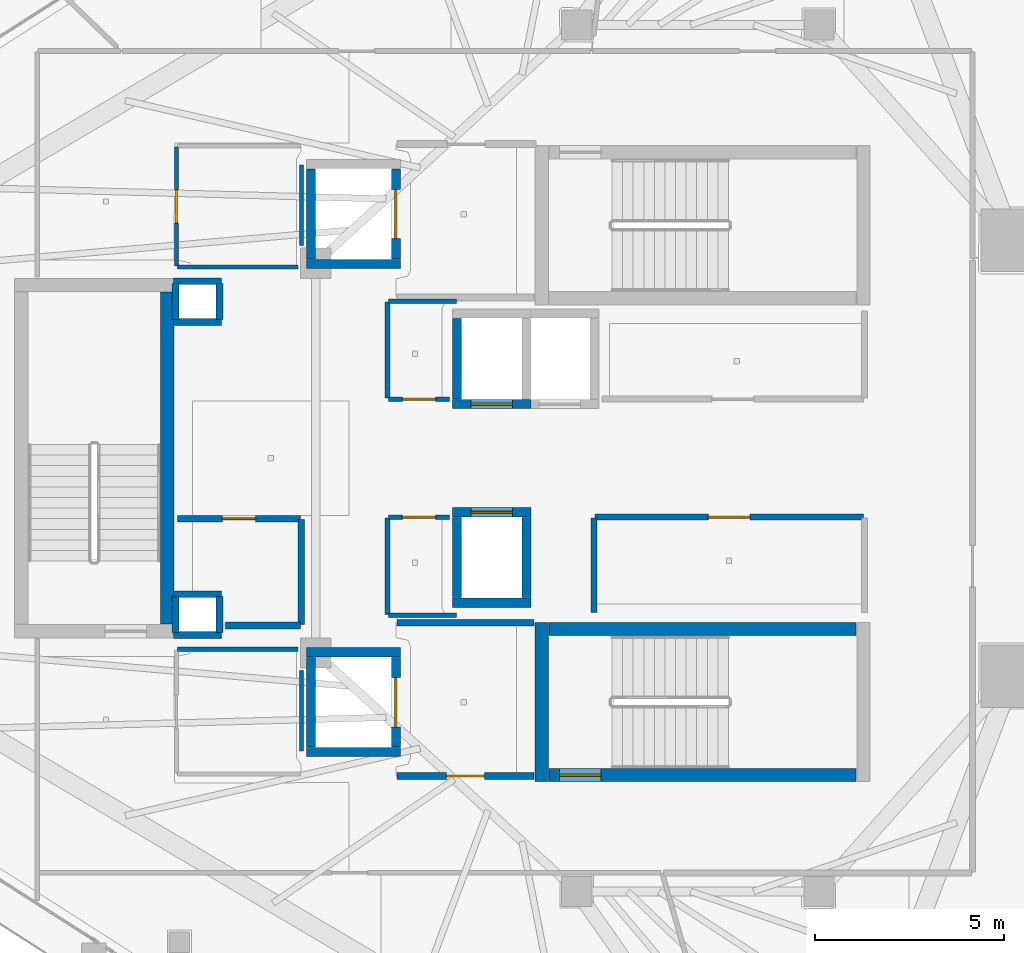
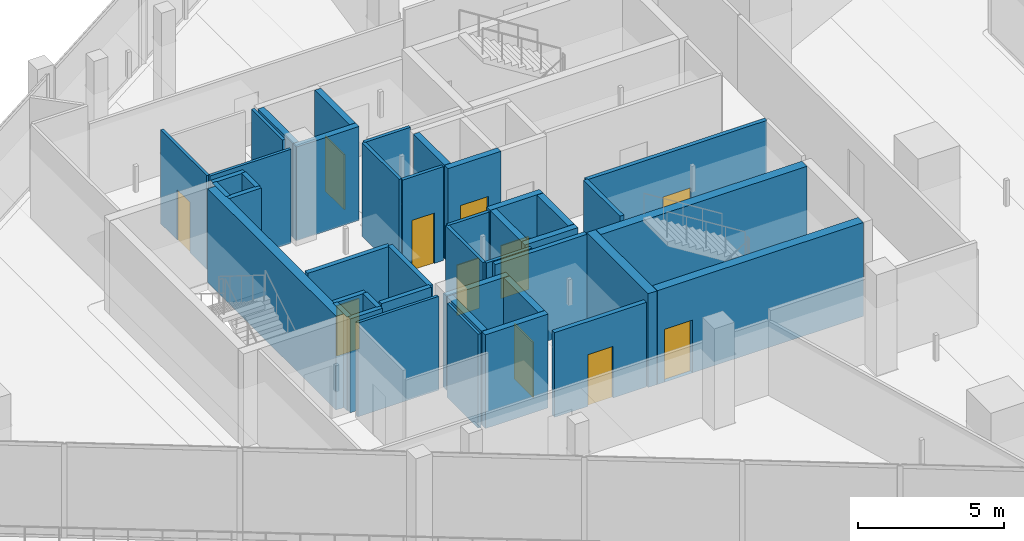
# One storey, part 22 of 31: 43 walls, 11 doors, 11 openings.
"""IFC4 building model written with IfcOpenShell, lengths in metres."""

from ifc_helpers import new_model, si_unit, direction, frame, frame_2d, origin, place, context, subcontext, project, spatial, rectangle, extrude, material, layer, layer_set, type_object, element, fill, save


model = new_model("IFC4")

# Units and contexts
model_context = context("Model", 3, precision=1e-05, world=origin(), true_north=direction((0.0, 1.0)))
body_context = subcontext(model_context, "Body", "Model", "MODEL_VIEW")
ifc_project = project(units=[si_unit("LENGTHUNIT", "METRE"), si_unit("AREAUNIT", "SQUARE_METRE"), si_unit("VOLUMEUNIT", "CUBIC_METRE"), si_unit("PLANEANGLEUNIT", "RADIAN"), si_unit("MASSUNIT", "GRAM", prefix="KILO")], contexts=[model_context])

# Site, building, storey
site_placement = place(None, origin())
site = spatial("IfcSite", under=ifc_project, at=site_placement, CompositionType="ELEMENT")
building_placement = place(site_placement, origin())
building = spatial("IfcBuilding", under=site, at=building_placement, Name="Qorvath Tower", CompositionType="ELEMENT")
storey_placement = place(building_placement, frame((0.0, 0.0, 264.0)))
storey = spatial("IfcBuildingStorey", under=building, at=storey_placement, Name="L61", CompositionType="ELEMENT", Elevation=264.0)

# Walls
ifc_material_1 = material(Name="Gypsum shaftliner on steel studs", Category="steel")
ifc_layer_1 = layer(ifc_material_1, 0.179931640625)
ifc_layer_set_1 = layer_set([ifc_layer_1], Name="FW-LOBBY")
wall_type_1 = type_object("IfcWallType", Name="FW-LOBBY", PredefinedType="PARTITIONING", material=ifc_layer_set_1)
for number, where, z_axis, x_axis, name in (
    (1, (-32.989990234375, 3.594970703125, 0.0), (0.0, 0.0, 1.0), (-1.0, 0.0, 0.0), "MEP Riser Shaft Enclosure Wall N-L61-S"),
    (2, (-34.260009765625, 4.675048828125, 0.0), (0.0, 0.0, 1.0), (1.0, 0.0, 0.0), "MEP Riser Shaft Enclosure Wall N-L61-N"),
):
    element("IfcWall", number, at=place(storey_placement, frame(where, z_axis=z_axis, x_axis=x_axis)), inside=storey, type_object=wall_type_1, Name=name, PredefinedType="PARTITIONING", context=body_context, shape_type="SweptSolid", body=[
        extrude(rectangle(XDim=1.27001953125, YDim=0.179931640625, at=frame_2d((0.635009765625, 0.0))), origin(), (0.0, 0.0, 1.0), 3.909912109375),
    ])
for number, where, z_axis, x_axis, name in (
    (3, (-34.205078125, 3.659912109375, 0.0), (0.0, 0.0, 1.0), (0.0, 1.0, 0.0), "MEP Riser Shaft Enclosure Wall N-L61-W"),
    (4, (-33.044921875, 4.610107421875, 0.0), (0.0, 0.0, 1.0), (0.0, -1.0, 0.0), "MEP Riser Shaft Enclosure Wall N-L61-E"),
):
    element("IfcWall", number, at=place(storey_placement, frame(where, z_axis=z_axis, x_axis=x_axis)), inside=storey, type_object=wall_type_1, Name=name, PredefinedType="PARTITIONING", context=body_context, shape_type="SweptSolid", body=[
        extrude(rectangle(XDim=0.9501953125, YDim=0.179931640625, at=frame_2d((0.47509765625, 0.0))), origin(), (0.0, 0.0, 1.0), 3.909912109375),
    ])
for number, where, z_axis, x_axis, name in (
    (5, (-32.989990234375, -4.675048828125, 0.0), (0.0, 0.0, 1.0), (-1.0, 0.0, 0.0), "MEP Riser Shaft Enclosure Wall S-L61-S"),
    (6, (-34.260009765625, -3.594970703125, 0.0), (0.0, 0.0, 1.0), (1.0, 0.0, 0.0), "MEP Riser Shaft Enclosure Wall S-L61-N"),
):
    element("IfcWall", number, at=place(storey_placement, frame(where, z_axis=z_axis, x_axis=x_axis)), inside=storey, type_object=wall_type_1, Name=name, PredefinedType="PARTITIONING", context=body_context, shape_type="SweptSolid", body=[
        extrude(rectangle(XDim=1.27001953125, YDim=0.179931640625, at=frame_2d((0.635009765625, 0.0))), origin(), (0.0, 0.0, 1.0), 3.909912109375),
    ])
for number, where, z_axis, x_axis, name in (
    (7, (-34.205078125, -4.610107421875, 0.0), (0.0, 0.0, 1.0), (0.0, 1.0, 0.0), "MEP Riser Shaft Enclosure Wall S-L61-W"),
    (8, (-33.044921875, -3.659912109375, 0.0), (0.0, 0.0, 1.0), (0.0, -1.0, 0.0), "MEP Riser Shaft Enclosure Wall S-L61-E"),
):
    element("IfcWall", number, at=place(storey_placement, frame(where, z_axis=z_axis, x_axis=x_axis)), inside=storey, type_object=wall_type_1, Name=name, PredefinedType="PARTITIONING", context=body_context, shape_type="SweptSolid", body=[
        extrude(rectangle(XDim=0.9501953125, YDim=0.179931640625, at=frame_2d((0.47509765625, 0.0))), origin(), (0.0, 0.0, 1.0), 3.909912109375),
    ])

# Wall, opening, door
wall_1_placement = place(storey_placement, frame((-28.35498046875, -8.39990234375, 0.0), z_axis=(0.0, 0.0, 1.0), x_axis=(1.0, 0.0, 0.0)))
wall_1 = element("IfcWall", 9, at=wall_1_placement, inside=storey, type_object=wall_type_1, Name="Interior Partition IW-T1-L61-003", PredefinedType="PARTITIONING", context=body_context, shape_type="SweptSolid", body=[
    extrude(rectangle(XDim=3.6220703125, YDim=0.179931640625, at=frame_2d((1.81103515625, 0.0))), origin(), (0.0, 0.0, 1.0), 3.52880859375),
])
opening_1_placement = place(wall_1_placement, frame((1.31103515625, 0.0, 0.0)))
opening_1 = element("IfcOpeningElement", 10, at=opening_1_placement, cuts=wall_1, Name="Opening D-T1-L61-13", PredefinedType="OPENING", context=body_context, shape_type="SweptSolid", body=[
    extrude(rectangle(XDim=1.0, YDim=2.14990234375, at=frame_2d((0.5, 1.074951171875))), frame((0.0, 0.10009765625, 0.0), z_axis=(0.0, -1.0, 0.0), x_axis=(1.0, 0.0, 0.0)), (0.0, 0.0, 1.0), 0.199951171875),
])
ifc_material_2 = material(Name="Painted galvanised hollow metal", Category="steel")
door_type_1 = type_object("IfcDoorType", Name="FD-60", OperationType="NOTDEFINED", PredefinedType="DOOR", material=ifc_material_2)
door_1_placement = place(opening_1_placement, origin())
door_1 = element("IfcDoor", 11, at=door_1_placement, inside=storey, type_object=door_type_1, Name="Lobby Fire Service Elevator South Door D-T1-L61-13", OperationType="SINGLE_SWING_LEFT", OverallHeight=2.14990234375, OverallWidth=1.0, PredefinedType="DOOR", context=body_context, shape_type="SweptSolid", body=[
    extrude(rectangle(XDim=1.0, YDim=2.14990234375, at=frame_2d((0.5, 1.074951171875))), frame((0.0, 0.02490234375, 0.0), z_axis=(0.0, -1.0, 0.0), x_axis=(1.0, 0.0, 0.0)), (0.0, 0.0, 1.0), 0.050048828125),
])
fill(opening_1, door_1)

# Walls
wall_2_placement = place(storey_placement, frame((-24.73291015625, -4.35009765625, 0.0), z_axis=(0.0, 0.0, 1.0), x_axis=(-1.0, 0.0, 0.0)))
element("IfcWall", 12, at=wall_2_placement, inside=storey, type_object=wall_type_1, Name="Interior Partition IW-T1-L61-004", PredefinedType="PARTITIONING", context=body_context, shape_type="SweptSolid", body=[
    extrude(rectangle(XDim=3.6220703125, YDim=0.179931640625, at=frame_2d((1.81103515625, 0.0))), origin(), (0.0, 0.0, 1.0), 3.909912109375),
])
wall_3_placement = place(storey_placement, frame((-32.8798828125, -4.419921875, 0.0), z_axis=(0.0, 0.0, 1.0), x_axis=(1.0, 0.0, 0.0)))
element("IfcWall", 13, at=wall_3_placement, inside=storey, type_object=wall_type_1, Name="Interior Partition IW-T1-L61-024", PredefinedType="PARTITIONING", context=body_context, shape_type="SweptSolid", body=[
    extrude(rectangle(XDim=1.97509765625, YDim=0.179931640625, at=frame_2d((0.987548828125, 0.0))), origin(), (0.0, 0.0, 1.0), 3.909912109375),
])
wall_4_placement = place(storey_placement, frame((-30.8798828125, -4.39501953125, 0.0), z_axis=(0.0, 0.0, 1.0), x_axis=(0.0, 1.0, 0.0)))
element("IfcWall", 14, at=wall_4_placement, inside=storey, type_object=wall_type_1, Name="Interior Partition IW-T1-L61-025", PredefinedType="PARTITIONING", context=body_context, shape_type="SweptSolid", body=[
    extrude(rectangle(XDim=2.77001953125, YDim=0.179931640625, at=frame_2d((1.385009765625, 0.0))), origin(), (0.0, 0.0, 1.0), 3.909912109375),
])

# Wall, opening, door
wall_5_placement = place(storey_placement, frame((-30.90478515625, -1.60009765625, 0.0), z_axis=(0.0, 0.0, 1.0), x_axis=(-1.0, 0.0, 0.0)))
wall_5 = element("IfcWall", 15, at=wall_5_placement, inside=storey, type_object=wall_type_1, Name="Interior Partition IW-T1-L61-026", PredefinedType="PARTITIONING", context=body_context, shape_type="SweptSolid", body=[
    extrude(rectangle(XDim=3.25, YDim=0.179931640625, at=frame_2d((1.625, 0.0))), origin(), (0.0, 0.0, 1.0), 3.909912109375),
])
opening_2_placement = place(wall_5_placement, frame((1.18505859375, 0.0, 0.0)))
opening_2 = element("IfcOpeningElement", 16, at=opening_2_placement, cuts=wall_5, Name="Opening D-T1-L61-07", PredefinedType="OPENING", context=body_context, shape_type="SweptSolid", body=[
    extrude(rectangle(XDim=0.8798828125, YDim=2.10009765625, at=frame_2d((0.43994140625, 1.050048828125))), frame((0.0, 0.10009765625, 0.0), z_axis=(0.0, -1.0, 0.0), x_axis=(1.0, 0.0, 0.0)), (0.0, 0.0, 1.0), 0.199951171875),
])
ifc_material_3 = material(Name="Painted galvanised hollow metal", Category="steel")
door_type_2 = type_object("IfcDoorType", Name="FD-60N", OperationType="NOTDEFINED", PredefinedType="DOOR", material=ifc_material_3)
door_2_placement = place(opening_2_placement, origin())
door_2 = element("IfcDoor", 17, at=door_2_placement, inside=storey, type_object=door_type_2, Name="Core cleaner and electrical room L61 Door D-T1-L61-07", OperationType="SINGLE_SWING_LEFT", OverallHeight=2.10009765625, OverallWidth=0.8798828125, PredefinedType="DOOR", context=body_context, shape_type="SweptSolid", body=[
    extrude(rectangle(XDim=0.8798828125, YDim=2.10009765625, at=frame_2d((0.43994140625, 1.050048828125))), frame((0.0, 0.02490234375, 0.0), z_axis=(0.0, -1.0, 0.0), x_axis=(1.0, 0.0, 0.0)), (0.0, 0.0, 1.0), 0.050048828125),
])
fill(opening_2, door_2)

# Wall
ifc_material_4 = material(Name="Double acoustic gypsum board on steel studs", Category="steel")
ifc_layer_2 = layer(ifc_material_4, 0.159912109375)
ifc_layer_set_2 = layer_set([ifc_layer_2], Name="IW-ACOUSTIC-160")
wall_type_2 = type_object("IfcWallType", Name="IW-ACOUSTIC-160", PredefinedType="PARTITIONING", material=ifc_layer_set_2)
wall_6_placement = place(storey_placement, frame((-23.14990234375, -1.585205078125, 0.0), z_axis=(0.0, 0.0, 1.0), x_axis=(0.0, -1.0, 0.0)))
element("IfcWall", 18, at=wall_6_placement, inside=storey, type_object=wall_type_2, Name="Interior Partition IW-T1-L61-015", PredefinedType="PARTITIONING", context=body_context, shape_type="SweptSolid", body=[
    extrude(rectangle(XDim=2.489990234375, YDim=0.159912109375, at=frame_2d((1.2451171875, 0.0))), origin(), (0.0, 0.0, 1.0), 3.909912109375),
])

# Wall, opening, door
wall_7_placement = place(storey_placement, frame((-16.02490234375, -1.56005859375, 0.0), z_axis=(0.0, 0.0, 1.0), x_axis=(-1.0, 0.0, 0.0)))
wall_7 = element("IfcWall", 19, at=wall_7_placement, inside=storey, type_object=wall_type_2, Name="Interior Partition IW-T1-L61-017", PredefinedType="PARTITIONING", context=body_context, shape_type="SweptSolid", body=[
    extrude(rectangle(XDim=7.10009765625, YDim=0.159912109375, at=frame_2d((3.550048828125, 0.0))), origin(), (0.0, 0.0, 1.0), 3.909912109375),
])
opening_3_placement = place(wall_7_placement, frame((3.0, 0.0, 0.0)))
opening_3 = element("IfcOpeningElement", 20, at=opening_3_placement, cuts=wall_7, Name="Opening D-T1-L61-04", PredefinedType="OPENING", context=body_context, shape_type="SweptSolid", body=[
    extrude(rectangle(XDim=1.10009765625, YDim=2.14990234375, at=frame_2d((0.550048828125, 1.074951171875))), frame((0.0, 0.08984375, 0.0), z_axis=(0.0, -1.0, 0.0), x_axis=(1.0, 0.0, 0.0)), (0.0, 0.0, 1.0), 0.179931640625),
])
ifc_material_5 = material(Name="Anodised aluminium acoustic framed glass", Category="aluminium")
door_type_3 = type_object("IfcDoorType", Name="D-03", OperationType="NOTDEFINED", PredefinedType="DOOR", material=ifc_material_5)
door_3_placement = place(opening_3_placement, origin())
door_3 = element("IfcDoor", 21, at=door_3_placement, inside=storey, type_object=door_type_3, Name="L61-RCS South Executive Support Office Door D-T1-L61-04", OperationType="SINGLE_SWING_RIGHT", OverallHeight=2.14990234375, OverallWidth=1.10009765625, PredefinedType="DOOR", context=body_context, shape_type="SweptSolid", body=[
    extrude(rectangle(XDim=1.10009765625, YDim=2.14990234375, at=frame_2d((0.550048828125, 1.074951171875))), frame((0.0, 0.02490234375, 0.0), z_axis=(0.0, -1.0, 0.0), x_axis=(1.0, 0.0, 0.0)), (0.0, 0.0, 1.0), 0.050048828125),
])
fill(opening_3, door_3)

# Wall
ifc_material_6 = material(Name="Gypsum board on metal studs with mineral wool", Category="gypsum")
ifc_layer_3 = layer(ifc_material_6, 0.125)
ifc_layer_set_3 = layer_set([ifc_layer_3], Name="IW-PART-125")
wall_type_3 = type_object("IfcWallType", Name="IW-PART-125", PredefinedType="PARTITIONING", material=ifc_layer_set_3)
wall_8_placement = place(storey_placement, frame((-28.60009765625, 4.125, 0.0), z_axis=(0.0, 0.0, 1.0), x_axis=(0.0, -1.0, 0.0)))
element("IfcWall", 22, at=wall_8_placement, inside=storey, type_object=wall_type_3, Name="Interior Partition IW-T1-L61-018", PredefinedType="PARTITIONING", context=body_context, shape_type="SweptSolid", body=[
    extrude(rectangle(XDim=2.539794921875, YDim=0.125, at=frame_2d((1.27001953125, 0.0))), origin(), (0.0, 0.0, 1.0), 3.909912109375),
])

# Wall, opening, door
wall_9_placement = place(storey_placement, frame((-28.5751953125, 1.56005859375, 0.0), z_axis=(0.0, 0.0, 1.0), x_axis=(1.0, 0.0, 0.0)))
wall_9 = element("IfcWall", 23, at=wall_9_placement, inside=storey, type_object=wall_type_3, Name="Interior Partition IW-T1-L61-019", PredefinedType="PARTITIONING", context=body_context, shape_type="SweptSolid", body=[
    extrude(rectangle(XDim=1.609130859375, YDim=0.125, at=frame_2d((0.8046875, 0.0))), origin(), (0.0, 0.0, 1.0), 3.909912109375),
])
opening_4_placement = place(wall_9_placement, frame((0.364501953125, 0.0, 0.0)))
opening_4 = element("IfcOpeningElement", 24, at=opening_4_placement, cuts=wall_9, Name="Opening D-T1-L61-05", PredefinedType="OPENING", context=body_context, shape_type="SweptSolid", body=[
    extrude(rectangle(XDim=0.8798828125, YDim=2.10009765625, at=frame_2d((0.43994140625, 1.050048828125))), frame((0.0, 0.072509765625, 0.0), z_axis=(0.0, -1.0, 0.0), x_axis=(1.0, 0.0, 0.0)), (0.0, 0.0, 1.0), 0.14501953125),
])
ifc_material_7 = material(Name="Solid-core oak with acoustic drop seal", Category="wood")
door_type_4 = type_object("IfcDoorType", Name="D-02", OperationType="NOTDEFINED", PredefinedType="DOOR", material=ifc_material_7)
door_4_placement = place(opening_4_placement, origin())
door_4 = element("IfcDoor", 25, at=door_4_placement, inside=storey, type_object=door_type_4, Name="L61-RCWN Executive Archive Suite Door D-T1-L61-05", OperationType="SINGLE_SWING_LEFT", OverallHeight=2.10009765625, OverallWidth=0.8798828125, PredefinedType="DOOR", context=body_context, shape_type="SweptSolid", body=[
    extrude(rectangle(XDim=0.8798828125, YDim=2.10009765625, at=frame_2d((0.43994140625, 1.050048828125))), frame((0.0, 0.02490234375, 0.0), z_axis=(0.0, -1.0, 0.0), x_axis=(1.0, 0.0, 0.0)), (0.0, 0.0, 1.0), 0.050048828125),
])
fill(opening_4, door_4)

# Walls
wall_10_placement = place(storey_placement, frame((-26.77490234375, 4.14990234375, 0.0), z_axis=(0.0, 0.0, 1.0), x_axis=(-1.0, 0.0, 0.0)))
element("IfcWall", 26, at=wall_10_placement, inside=storey, type_object=wall_type_3, Name="Interior Partition IW-T1-L61-020", PredefinedType="PARTITIONING", context=body_context, shape_type="SweptSolid", body=[
    extrude(rectangle(XDim=1.80029296875, YDim=0.125, at=frame_2d((0.900146484375, 0.0))), origin(), (0.0, 0.0, 1.0), 3.909912109375),
])
wall_11_placement = place(storey_placement, frame((-28.60009765625, -1.585205078125, 0.0), z_axis=(0.0, 0.0, 1.0), x_axis=(0.0, -1.0, 0.0)))
element("IfcWall", 27, at=wall_11_placement, inside=storey, type_object=wall_type_3, Name="Interior Partition IW-T1-L61-021", PredefinedType="PARTITIONING", context=body_context, shape_type="SweptSolid", body=[
    extrude(rectangle(XDim=2.539794921875, YDim=0.125, at=frame_2d((1.27001953125, 0.0))), origin(), (0.0, 0.0, 1.0), 3.909912109375),
])
wall_12_placement = place(storey_placement, frame((-28.5751953125, -4.14990234375, 0.0), z_axis=(0.0, 0.0, 1.0), x_axis=(1.0, 0.0, 0.0)))
element("IfcWall", 28, at=wall_12_placement, inside=storey, type_object=wall_type_3, Name="Interior Partition IW-T1-L61-022", PredefinedType="PARTITIONING", context=body_context, shape_type="SweptSolid", body=[
    extrude(rectangle(XDim=1.80029296875, YDim=0.125, at=frame_2d((0.900146484375, 0.0))), origin(), (0.0, 0.0, 1.0), 3.909912109375),
])

# Wall, opening, door
wall_13_placement = place(storey_placement, frame((-26.966064453125, -1.56005859375, 0.0), z_axis=(0.0, 0.0, 1.0), x_axis=(-1.0, 0.0, 0.0)))
wall_13 = element("IfcWall", 29, at=wall_13_placement, inside=storey, type_object=wall_type_3, Name="Interior Partition IW-T1-L61-023", PredefinedType="PARTITIONING", context=body_context, shape_type="SweptSolid", body=[
    extrude(rectangle(XDim=1.609130859375, YDim=0.125, at=frame_2d((0.8046875, 0.0))), origin(), (0.0, 0.0, 1.0), 3.909912109375),
])
opening_5_placement = place(wall_13_placement, frame((0.364501953125, 0.0, 0.0)))
opening_5 = element("IfcOpeningElement", 30, at=opening_5_placement, cuts=wall_13, Name="Opening D-T1-L61-06", PredefinedType="OPENING", context=body_context, shape_type="SweptSolid", body=[
    extrude(rectangle(XDim=0.8798828125, YDim=2.10009765625, at=frame_2d((0.43994140625, 1.050048828125))), frame((0.0, 0.072509765625, 0.0), z_axis=(0.0, -1.0, 0.0), x_axis=(1.0, 0.0, 0.0)), (0.0, 0.0, 1.0), 0.14501953125),
])
door_5_placement = place(opening_5_placement, origin())
door_5 = element("IfcDoor", 31, at=door_5_placement, inside=storey, type_object=door_type_4, Name="L61-RCWS Executive Archive Suite Door D-T1-L61-06", OperationType="SINGLE_SWING_RIGHT", OverallHeight=2.10009765625, OverallWidth=0.8798828125, PredefinedType="DOOR", context=body_context, shape_type="SweptSolid", body=[
    extrude(rectangle(XDim=0.8798828125, YDim=2.10009765625, at=frame_2d((0.43994140625, 1.050048828125))), frame((0.0, 0.02490234375, 0.0), z_axis=(0.0, -1.0, 0.0), x_axis=(1.0, 0.0, 0.0)), (0.0, 0.0, 1.0), 0.050048828125),
])
fill(opening_5, door_5)

ifc_material_8 = material(Name="Moisture-resistant cement board on metal studs", Category="gypsum")
ifc_layer_4 = layer(ifc_material_8, 0.110107421875)
ifc_layer_set_4 = layer_set([ifc_layer_4], Name="IW-WC-110")
wall_type_4 = type_object("IfcWallType", Name="IW-WC-110", PredefinedType="PARTITIONING", material=ifc_layer_set_4)
wall_14_placement = place(storey_placement, frame((-34.179931640625, 8.22509765625, 0.0), z_axis=(0.0, 0.0, 1.0), x_axis=(0.0, -1.0, 0.0)))
wall_14 = element("IfcWall", 32, at=wall_14_placement, inside=storey, type_object=wall_type_4, Name="Interior Partition IW-T1-L61-005", PredefinedType="PARTITIONING", context=body_context, shape_type="SweptSolid", body=[
    extrude(rectangle(XDim=3.150146484375, YDim=0.110107421875, at=frame_2d((1.5751953125, 0.0))), origin(), (0.0, 0.0, 1.0), 3.909912109375),
])
opening_6_placement = place(wall_14_placement, frame((1.135009765625, 0.0, 0.0)))
opening_6 = element("IfcOpeningElement", 33, at=opening_6_placement, cuts=wall_14, Name="Opening D-T1-L61-01", PredefinedType="OPENING", context=body_context, shape_type="SweptSolid", body=[
    extrude(rectangle(XDim=0.8798828125, YDim=2.10009765625, at=frame_2d((0.43994140625, 1.050048828125))), frame((0.0, 0.06494140625, 0.0), z_axis=(0.0, -1.0, 0.0), x_axis=(1.0, 0.0, 0.0)), (0.0, 0.0, 1.0), 0.130126953125),
])
door_6_placement = place(opening_6_placement, origin())
door_6 = element("IfcDoor", 34, at=door_6_placement, inside=storey, type_object=door_type_4, Name="Accessible WC North L61 Door D-T1-L61-01", OperationType="SINGLE_SWING_LEFT", OverallHeight=2.10009765625, OverallWidth=0.8798828125, PredefinedType="DOOR", context=body_context, shape_type="SweptSolid", body=[
    extrude(rectangle(XDim=0.8798828125, YDim=2.10009765625, at=frame_2d((0.43994140625, 1.050048828125))), frame((0.0, 0.02490234375, 0.0), z_axis=(0.0, -1.0, 0.0), x_axis=(1.0, 0.0, 0.0)), (0.0, 0.0, 1.0), 0.050048828125),
])
fill(opening_6, door_6)

# Walls
wall_15_placement = place(storey_placement, frame((-34.15478515625, 5.050048828125, 0.0), z_axis=(0.0, 0.0, 1.0), x_axis=(1.0, 0.0, 0.0)))
element("IfcWall", 35, at=wall_15_placement, inside=storey, type_object=wall_type_4, Name="Interior Partition IW-T1-L61-006", PredefinedType="PARTITIONING", context=body_context, shape_type="SweptSolid", body=[
    extrude(rectangle(XDim=3.189697265625, YDim=0.110107421875, at=frame_2d((1.5947265625, 0.0))), origin(), (0.0, 0.0, 1.0), 3.909912109375),
])
for number, where, z_axis, x_axis, name in (
    (36, (-30.8798828125, 5.614990234375, 0.0), (0.0, 0.0, 1.0), (0.0, 1.0, 0.0), "Interior Partition IW-T1-L61-007"),
    (37, (-30.8798828125, -7.742919921875, 0.0), (0.0, 0.0, 1.0), (0.0, 1.0, 0.0), "Interior Partition IW-T1-L61-010"),
):
    element("IfcWall", number, at=place(storey_placement, frame(where, z_axis=z_axis, x_axis=x_axis)), inside=storey, type_object=wall_type_4, Name=name, PredefinedType="PARTITIONING", context=body_context, shape_type="SweptSolid", body=[
        extrude(rectangle(XDim=2.1279296875, YDim=0.110107421875, at=frame_2d((1.06396484375, 0.0))), origin(), (0.0, 0.0, 1.0), 3.909912109375),
    ])
wall_16_placement = place(storey_placement, frame((-30.965087890625, -5.050048828125, 0.0), z_axis=(0.0, 0.0, 1.0), x_axis=(-1.0, 0.0, 0.0)))
element("IfcWall", 38, at=wall_16_placement, inside=storey, type_object=wall_type_4, Name="Interior Partition IW-T1-L61-011", PredefinedType="PARTITIONING", context=body_context, shape_type="SweptSolid", body=[
    extrude(rectangle(XDim=3.189697265625, YDim=0.110107421875, at=frame_2d((1.5947265625, 0.0))), origin(), (0.0, 0.0, 1.0), 3.909912109375),
])
ifc_material_9 = material(Name="Concrete C60/75", Category="concrete")
ifc_layer_5 = layer(ifc_material_9, 0.260009765625)
ifc_layer_set_5 = layer_set([ifc_layer_5], Name="SW-SHAFT")
wall_type_5 = type_object("IfcWallType", Name="SW-SHAFT", PredefinedType="SHEAR", material=ifc_layer_set_5)
wall_17_placement = place(storey_placement, frame((-28.260009765625, 5.1298828125, 0.0), z_axis=(0.0, 0.0, 1.0), x_axis=(-1.0, 0.0, 0.0)))
element("IfcWall", 39, at=wall_17_placement, inside=storey, type_object=wall_type_5, Name="Hoistway Wall FSAE-1 L61 S", PredefinedType="SHEAR", context=body_context, shape_type="SweptSolid", body=[
    extrude(rectangle(XDim=2.47998046875, YDim=0.239990234375, at=frame_2d((1.239990234375, 0.0))), origin(), (0.0, 0.0, 1.0), 3.909912109375),
])
wall_18_placement = place(storey_placement, frame((-30.6201171875, 5.261962890625, 0.0), z_axis=(0.0, 0.0, 1.0), x_axis=(0.0, 1.0, 0.0)))
element("IfcWall", 40, at=wall_18_placement, inside=storey, type_object=wall_type_5, Name="Hoistway Wall FSAE-1 L61 W", PredefinedType="SHEAR", context=body_context, shape_type="SweptSolid", body=[
    extrude(rectangle(XDim=2.3759765625, YDim=0.239990234375, at=frame_2d((1.18798828125, 0.0))), origin(), (0.0, 0.0, 1.0), 3.909912109375),
])

# Wall, opening, door
wall_19_placement = place(storey_placement, frame((-28.3798828125, 7.637939453125, 0.0), z_axis=(0.0, 0.0, 1.0), x_axis=(0.0, -1.0, 0.0)))
wall_19 = element("IfcWall", 41, at=wall_19_placement, inside=storey, type_object=wall_type_5, Name="Hoistway Wall FSAE-1 L61 E", PredefinedType="SHEAR", context=body_context, shape_type="SweptSolid", body=[
    extrude(rectangle(XDim=2.3759765625, YDim=0.239990234375, at=frame_2d((1.18798828125, 0.0))), origin(), (0.0, 0.0, 1.0), 3.909912109375),
])
opening_7_placement = place(wall_19_placement, frame((0.537841796875, 0.0, 0.0)))
opening_7 = element("IfcOpeningElement", 42, at=opening_7_placement, cuts=wall_19, Name="Opening LD-FSAE-1-L61", PredefinedType="OPENING", context=body_context, shape_type="SweptSolid", body=[
    extrude(rectangle(XDim=1.300048828125, YDim=2.300048828125, at=frame_2d((0.64990234375, 1.14990234375))), frame((0.0, 0.1298828125, 0.0), z_axis=(0.0, -1.0, 0.0), x_axis=(1.0, 0.0, 0.0)), (0.0, 0.0, 1.0), 0.260009765625),
])
ifc_material_10 = material(Name="Brushed stainless steel AISI 316", Category="steel")
door_type_5 = type_object("IfcDoorType", Name="LD-02", OperationType="NOTDEFINED", PredefinedType="DOOR", material=ifc_material_10)
door_7_placement = place(opening_7_placement, origin())
door_7 = element("IfcDoor", 43, at=door_7_placement, inside=storey, type_object=door_type_5, Name="Elevator Landing Sliding Door LD-FSAE-1-L61", OperationType="DOUBLE_DOOR_SLIDING", OverallHeight=2.300048828125, OverallWidth=1.300048828125, PredefinedType="DOOR", context=body_context, shape_type="SweptSolid", body=[
    extrude(rectangle(XDim=1.300048828125, YDim=2.300048828125, at=frame_2d((0.64990234375, 1.14990234375))), frame((0.0, 0.02490234375, 0.0), z_axis=(0.0, -1.0, 0.0), x_axis=(1.0, 0.0, 0.0)), (0.0, 0.0, 1.0), 0.050048828125),
])
fill(opening_7, door_7)

# Walls
for number, where, z_axis, x_axis, name in (
    (44, (-28.260009765625, -7.77001953125, 0.0), (0.0, 0.0, 1.0), (-1.0, 0.0, 0.0), "Hoistway Wall FSAE-2 L61 S"),
    (45, (-30.739990234375, -5.1298828125, 0.0), (0.0, 0.0, 1.0), (1.0, 0.0, 0.0), "Hoistway Wall FSAE-2 L61 N"),
):
    element("IfcWall", number, at=place(storey_placement, frame(where, z_axis=z_axis, x_axis=x_axis)), inside=storey, type_object=wall_type_5, Name=name, PredefinedType="SHEAR", context=body_context, shape_type="SweptSolid", body=[
        extrude(rectangle(XDim=2.47998046875, YDim=0.239990234375, at=frame_2d((1.239990234375, 0.0))), origin(), (0.0, 0.0, 1.0), 3.909912109375),
    ])
wall_20_placement = place(storey_placement, frame((-30.6201171875, -7.637939453125, 0.0), z_axis=(0.0, 0.0, 1.0), x_axis=(0.0, 1.0, 0.0)))
element("IfcWall", 46, at=wall_20_placement, inside=storey, type_object=wall_type_5, Name="Hoistway Wall FSAE-2 L61 W", PredefinedType="SHEAR", context=body_context, shape_type="SweptSolid", body=[
    extrude(rectangle(XDim=2.3759765625, YDim=0.239990234375, at=frame_2d((1.18798828125, 0.0))), origin(), (0.0, 0.0, 1.0), 3.909912109375),
])

# Wall, opening, door
wall_21_placement = place(storey_placement, frame((-28.3798828125, -5.261962890625, 0.0), z_axis=(0.0, 0.0, 1.0), x_axis=(0.0, -1.0, 0.0)))
wall_21 = element("IfcWall", 47, at=wall_21_placement, inside=storey, type_object=wall_type_5, Name="Hoistway Wall FSAE-2 L61 E", PredefinedType="SHEAR", context=body_context, shape_type="SweptSolid", body=[
    extrude(rectangle(XDim=2.3759765625, YDim=0.239990234375, at=frame_2d((1.18798828125, 0.0))), origin(), (0.0, 0.0, 1.0), 3.909912109375),
])
opening_8_placement = place(wall_21_placement, frame((0.5380859375, 0.0, 0.0)))
opening_8 = element("IfcOpeningElement", 48, at=opening_8_placement, cuts=wall_21, Name="Opening LD-FSAE-2-L61", PredefinedType="OPENING", context=body_context, shape_type="SweptSolid", body=[
    extrude(rectangle(XDim=1.300048828125, YDim=2.300048828125, at=frame_2d((0.64990234375, 1.14990234375))), frame((0.0, 0.1298828125, 0.0), z_axis=(0.0, -1.0, 0.0), x_axis=(1.0, 0.0, 0.0)), (0.0, 0.0, 1.0), 0.260009765625),
])
door_8_placement = place(opening_8_placement, origin())
door_8 = element("IfcDoor", 49, at=door_8_placement, inside=storey, type_object=door_type_5, Name="Elevator Landing Sliding Door LD-FSAE-2-L61", OperationType="DOUBLE_DOOR_SLIDING", OverallHeight=2.300048828125, OverallWidth=1.300048828125, PredefinedType="DOOR", context=body_context, shape_type="SweptSolid", body=[
    extrude(rectangle(XDim=1.300048828125, YDim=2.300048828125, at=frame_2d((0.64990234375, 1.14990234375))), frame((0.0, 0.02490234375, 0.0), z_axis=(0.0, -1.0, 0.0), x_axis=(1.0, 0.0, 0.0)), (0.0, 0.0, 1.0), 0.050048828125),
])
fill(opening_8, door_8)

wall_22_placement = place(storey_placement, frame((-24.81005859375, 1.429931640625, 0.0), z_axis=(0.0, 0.0, 1.0), x_axis=(-1.0, 0.0, 0.0)))
wall_22 = element("IfcWall", 50, at=wall_22_placement, inside=storey, type_object=wall_type_5, Name="Hoistway Wall PH-1 L61 S", PredefinedType="SHEAR", context=body_context, shape_type="SweptSolid", body=[
    extrude(rectangle(XDim=2.079833984375, YDim=0.239990234375, at=frame_2d((1.0400390625, 0.0))), origin(), (0.0, 0.0, 1.0), 3.909912109375),
])
opening_9_placement = place(wall_22_placement, frame((0.489990234375, 0.0, 0.0)))
opening_9 = element("IfcOpeningElement", 51, at=opening_9_placement, cuts=wall_22, Name="Opening LD-PH-1-L61", PredefinedType="OPENING", context=body_context, shape_type="SweptSolid", body=[
    extrude(rectangle(XDim=1.10009765625, YDim=2.199951171875, at=frame_2d((0.550048828125, 1.10009765625))), frame((0.0, 0.1298828125, 0.0), z_axis=(0.0, -1.0, 0.0), x_axis=(1.0, 0.0, 0.0)), (0.0, 0.0, 1.0), 0.260009765625),
])
ifc_material_11 = material(Name="Brushed stainless steel AISI 316", Category="steel")
door_type_6 = type_object("IfcDoorType", Name="LD-01", OperationType="NOTDEFINED", PredefinedType="DOOR", material=ifc_material_11)
door_9_placement = place(opening_9_placement, origin())
door_9 = element("IfcDoor", 52, at=door_9_placement, inside=storey, type_object=door_type_6, Name="Elevator Landing Sliding Door LD-PH-1-L61", OperationType="DOUBLE_DOOR_SLIDING", OverallHeight=2.199951171875, OverallWidth=1.10009765625, PredefinedType="DOOR", context=body_context, shape_type="SweptSolid", body=[
    extrude(rectangle(XDim=1.10009765625, YDim=2.199951171875, at=frame_2d((0.550048828125, 1.10009765625))), frame((0.0, 0.02490234375, 0.0), z_axis=(0.0, -1.0, 0.0), x_axis=(1.0, 0.0, 0.0)), (0.0, 0.0, 1.0), 0.050048828125),
])
fill(opening_9, door_9)

# Walls
wall_23_placement = place(storey_placement, frame((-26.77001953125, 1.56201171875, 0.0), z_axis=(0.0, 0.0, 1.0), x_axis=(0.0, 1.0, 0.0)))
element("IfcWall", 53, at=wall_23_placement, inside=storey, type_object=wall_type_5, Name="Hoistway Wall PH-1 L61 W", PredefinedType="SHEAR", context=body_context, shape_type="SweptSolid", body=[
    extrude(rectangle(XDim=2.1259765625, YDim=0.239990234375, at=frame_2d((1.06298828125, 0.0))), origin(), (0.0, 0.0, 1.0), 3.909912109375),
])
wall_24_placement = place(storey_placement, frame((-24.81005859375, -3.820068359375, 0.0), z_axis=(0.0, 0.0, 1.0), x_axis=(-1.0, 0.0, 0.0)))
element("IfcWall", 54, at=wall_24_placement, inside=storey, type_object=wall_type_5, Name="Hoistway Wall PH-3 L61 S", PredefinedType="SHEAR", context=body_context, shape_type="SweptSolid", body=[
    extrude(rectangle(XDim=2.079833984375, YDim=0.239990234375, at=frame_2d((1.0400390625, 0.0))), origin(), (0.0, 0.0, 1.0), 3.909912109375),
])

# Wall, opening, door
wall_25_placement = place(storey_placement, frame((-26.889892578125, -1.429931640625, 0.0), z_axis=(0.0, 0.0, 1.0), x_axis=(1.0, 0.0, 0.0)))
wall_25 = element("IfcWall", 55, at=wall_25_placement, inside=storey, type_object=wall_type_5, Name="Hoistway Wall PH-3 L61 N", PredefinedType="SHEAR", context=body_context, shape_type="SweptSolid", body=[
    extrude(rectangle(XDim=2.079833984375, YDim=0.239990234375, at=frame_2d((1.0400390625, 0.0))), origin(), (0.0, 0.0, 1.0), 3.909912109375),
])
opening_10_placement = place(wall_25_placement, frame((0.48974609375, 0.0, 0.0)))
opening_10 = element("IfcOpeningElement", 56, at=opening_10_placement, cuts=wall_25, Name="Opening LD-PH-3-L61", PredefinedType="OPENING", context=body_context, shape_type="SweptSolid", body=[
    extrude(rectangle(XDim=1.10009765625, YDim=2.199951171875, at=frame_2d((0.550048828125, 1.10009765625))), frame((0.0, 0.1298828125, 0.0), z_axis=(0.0, -1.0, 0.0), x_axis=(1.0, 0.0, 0.0)), (0.0, 0.0, 1.0), 0.260009765625),
])
door_10_placement = place(opening_10_placement, origin())
door_10 = element("IfcDoor", 57, at=door_10_placement, inside=storey, type_object=door_type_6, Name="Elevator Landing Sliding Door LD-PH-3-L61", OperationType="DOUBLE_DOOR_SLIDING", OverallHeight=2.199951171875, OverallWidth=1.10009765625, PredefinedType="DOOR", context=body_context, shape_type="SweptSolid", body=[
    extrude(rectangle(XDim=1.10009765625, YDim=2.199951171875, at=frame_2d((0.550048828125, 1.10009765625))), frame((0.0, 0.02490234375, 0.0), z_axis=(0.0, -1.0, 0.0), x_axis=(1.0, 0.0, 0.0)), (0.0, 0.0, 1.0), 0.050048828125),
])
fill(opening_10, door_10)

# Walls
for number, where, z_axis, x_axis, name in (
    (58, (-26.77001953125, -3.68798828125, 0.0), (0.0, 0.0, 1.0), (0.0, 1.0, 0.0), "Hoistway Wall PH-3 L61 W"),
    (59, (-24.929931640625, -1.56201171875, 0.0), (0.0, 0.0, 1.0), (0.0, -1.0, 0.0), "Hoistway Wall PH-3 L61 E"),
):
    element("IfcWall", number, at=place(storey_placement, frame(where, z_axis=z_axis, x_axis=x_axis)), inside=storey, type_object=wall_type_5, Name=name, PredefinedType="SHEAR", context=body_context, shape_type="SweptSolid", body=[
        extrude(rectangle(XDim=2.1259765625, YDim=0.239990234375, at=frame_2d((1.06298828125, 0.0))), origin(), (0.0, 0.0, 1.0), 3.909912109375),
    ])
ifc_material_12 = material(Name="Concrete C60/75", Category="concrete")
ifc_layer_6 = layer(ifc_material_12, 0.35009765625)
ifc_layer_set_6 = layer_set([ifc_layer_6], Name="SW-STAIR")
wall_type_6 = type_object("IfcWallType", Name="SW-STAIR", PredefinedType="SHEAR", material=ifc_layer_set_6)
wall_26_placement = place(storey_placement, frame((-24.52490234375, -4.340087890625, 0.0), z_axis=(0.0, 0.0, 1.0), x_axis=(0.0, -1.0, 0.0)))
element("IfcWall", 60, at=wall_26_placement, inside=storey, type_object=wall_type_6, Name="Stair TS2 Shear Wall L61 NEAR", PredefinedType="SHEAR", context=body_context, shape_type="SweptSolid", body=[
    extrude(rectangle(XDim=4.2099609375, YDim=0.35009765625, at=frame_2d((2.10498046875, 0.0))), origin(), (0.0, 0.0, 1.0), 3.909912109375),
])

# Wall, opening, door
wall_27_placement = place(storey_placement, frame((-24.3349609375, -8.375, 0.0), z_axis=(0.0, 0.0, 1.0), x_axis=(1.0, 0.0, 0.0)))
wall_27 = element("IfcWall", 61, at=wall_27_placement, inside=storey, type_object=wall_type_6, Name="Stair TS2 Shear Wall L61 LEFT", PredefinedType="SHEAR", context=body_context, shape_type="SweptSolid", body=[
    extrude(rectangle(XDim=8.119873046875, YDim=0.35009765625, at=frame_2d((4.06005859375, 0.0))), origin(), (0.0, 0.0, 1.0), 3.909912109375),
])
opening_11_placement = place(wall_27_placement, frame((0.280029296875, 0.0, 0.0)))
opening_11 = element("IfcOpeningElement", 62, at=opening_11_placement, cuts=wall_27, Name="Opening D-TS2-L61", PredefinedType="OPENING", context=body_context, shape_type="SweptSolid", body=[
    extrude(rectangle(XDim=1.10009765625, YDim=2.199951171875, at=frame_2d((0.550048828125, 1.10009765625))), frame((0.0, 0.18505859375, 0.0), z_axis=(0.0, -1.0, 0.0), x_axis=(1.0, 0.0, 0.0)), (0.0, 0.0, 1.0), 0.3701171875),
])
ifc_material_13 = material(Name="Painted galvanised hollow metal", Category="steel")
door_type_7 = type_object("IfcDoorType", Name="FD-90", OperationType="NOTDEFINED", PredefinedType="DOOR", material=ifc_material_13)
door_11_placement = place(opening_11_placement, origin())
door_11 = element("IfcDoor", 63, at=door_11_placement, inside=storey, type_object=door_type_7, Name="Stair TS2 Fire Door L61", OperationType="SINGLE_SWING_RIGHT", OverallHeight=2.199951171875, OverallWidth=1.10009765625, PredefinedType="DOOR", context=body_context, shape_type="SweptSolid", body=[
    extrude(rectangle(XDim=1.10009765625, YDim=2.199951171875, at=frame_2d((0.550048828125, 1.10009765625))), frame((0.0, 0.02490234375, 0.0), z_axis=(0.0, -1.0, 0.0), x_axis=(1.0, 0.0, 0.0)), (0.0, 0.0, 1.0), 0.050048828125),
])
fill(opening_11, door_11)

# Walls
wall_28_placement = place(storey_placement, frame((-16.215087890625, -4.514892578125, 0.0), z_axis=(0.0, 0.0, 1.0), x_axis=(-1.0, 0.0, 0.0)))
element("IfcWall", 64, at=wall_28_placement, inside=storey, type_object=wall_type_6, Name="Stair TS2 Shear Wall L61 RIGHT", PredefinedType="SHEAR", context=body_context, shape_type="SweptSolid", body=[
    extrude(rectangle(XDim=8.119873046875, YDim=0.35009765625, at=frame_2d((4.06005859375, 0.0))), origin(), (0.0, 0.0, 1.0), 3.909912109375),
])
wall_29_placement = place(storey_placement, frame((-34.425048828125, -4.385009765625, 0.0), z_axis=(0.0, 0.0, 1.0), x_axis=(0.0, 1.0, 0.0)))
element("IfcWall", 65, at=wall_29_placement, inside=storey, type_object=wall_type_6, Name="Stair TS3 Shear Wall L61 LEFT", PredefinedType="SHEAR", context=body_context, shape_type="SweptSolid", body=[
    extrude(rectangle(XDim=8.77001953125, YDim=0.35009765625, at=frame_2d((4.385009765625, 0.0))), origin(), (0.0, 0.0, 1.0), 3.909912109375),
])

save(model, "model.ifc")
